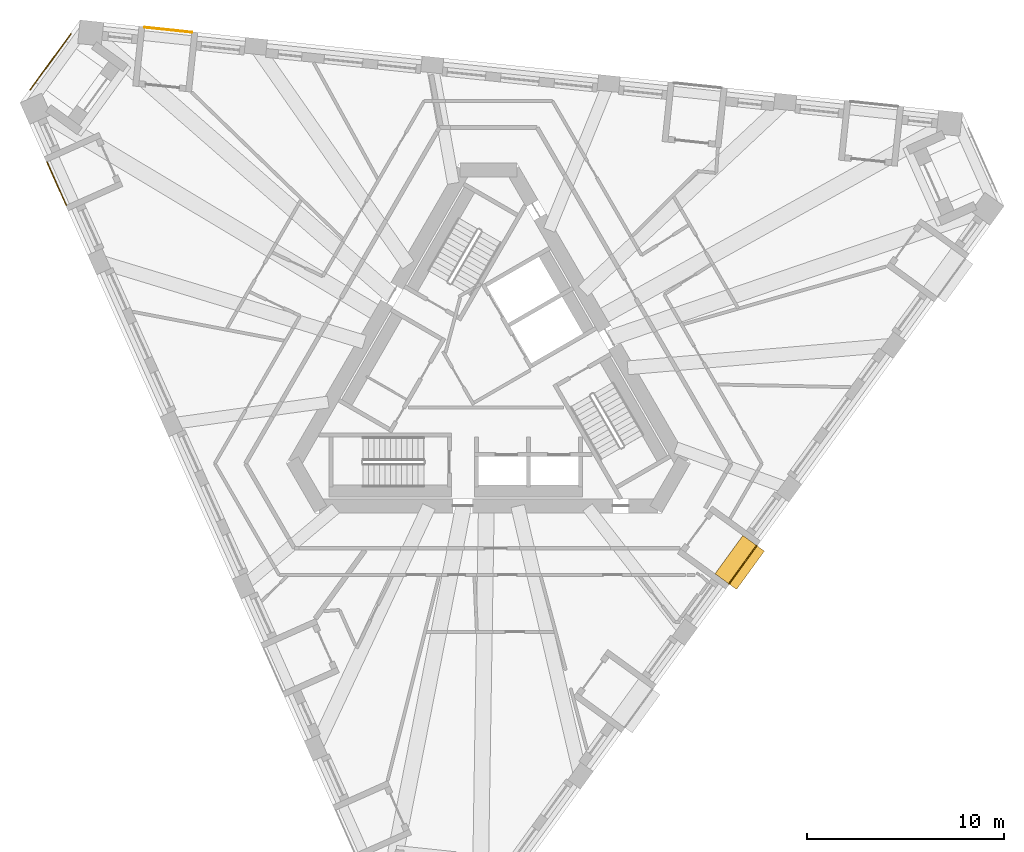
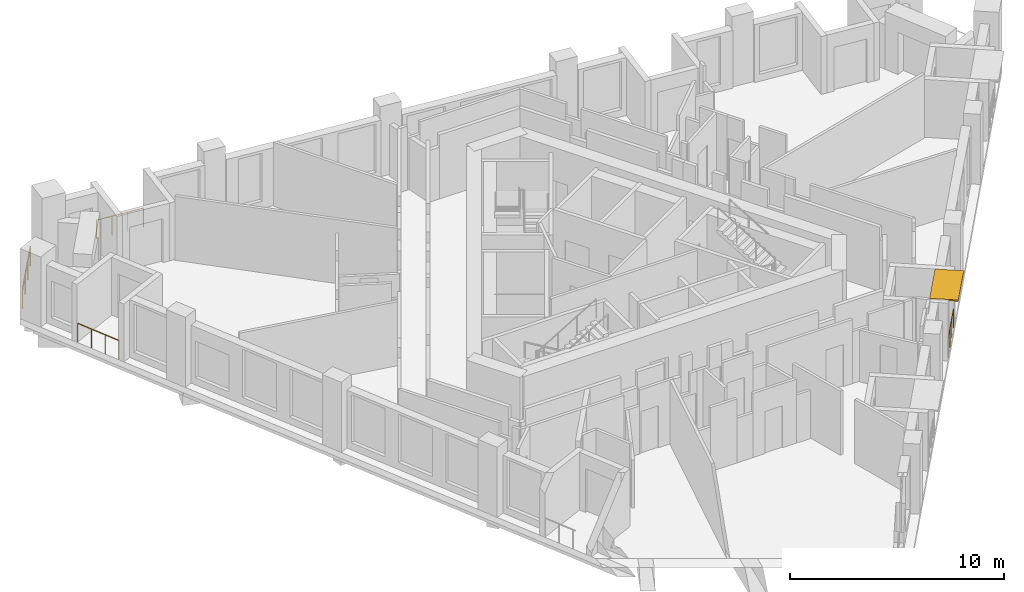
# One storey, part 10 of 11: 4 railings, 1 shading device.
"""IFC4 building model written with IfcOpenShell, lengths in metres."""

from ifc_helpers import new_model, si_unit, direction, frame, origin, origin_2d, place, context, subcontext, project, spatial, rectangle, circle, extrude, material, layer, layer_set, type_object, element, save


model = new_model("IFC4")

# Units and contexts
model_context = context("Model", 3, precision=1e-05, world=origin(), true_north=direction((0.0, 1.0)))
body_context = subcontext(model_context, "Body", "Model", "MODEL_VIEW")
ifc_project = project(units=[si_unit("LENGTHUNIT", "METRE"), si_unit("AREAUNIT", "SQUARE_METRE"), si_unit("VOLUMEUNIT", "CUBIC_METRE"), si_unit("PLANEANGLEUNIT", "RADIAN"), si_unit("MASSUNIT", "GRAM", prefix="KILO")], contexts=[model_context])

# Site, building, storey
site_placement = place(None, origin())
site = spatial("IfcSite", under=ifc_project, at=site_placement, CompositionType="ELEMENT")
building_placement = place(site_placement, origin())
building = spatial("IfcBuilding", under=site, at=building_placement, Name="Tramontana Tower", CompositionType="ELEMENT")
storey_placement = place(building_placement, frame((0.0, 0.0, 257.199951171875)))
storey = spatial("IfcBuildingStorey", under=building, at=storey_placement, Name="L60", CompositionType="ELEMENT", Elevation=257.199951171875)

# Railings
ifc_material_1 = material(Name="Laminated glass balustrade", Category="glass")
railing_type = type_object("IfcRailingType", Name="GD1 Loggia glass balustrade 1100", PredefinedType="BALUSTRADE", material=ifc_material_1)
railing_1_placement = place(storey_placement, frame((-22.404541015625, 11.0576171875, 0.0)))
element("IfcRailing", 1, at=railing_1_placement, inside=storey, type_object=railing_type, Name="Loggia balustrade L60 G6S0.1", PredefinedType="BALUSTRADE", context=body_context, shape_type="SweptSolid", body=[
    extrude(circle(Radius=0.02392578125, at=origin_2d()), frame((0.0, 0.0, 1.076171875), z_axis=(0.406723017018, -0.913551524232, 0.0), x_axis=(0.913551524232, 0.406723017018, 0.0)), (0.0, 0.0, 1.0), 2.40234375),
    extrude(circle(Radius=0.02099609375, at=origin_2d()), origin(), (0.0, 0.0, 1.0), 1.052001953125),
    extrude(circle(Radius=0.02099609375, at=origin_2d()), frame((0.32568359375, -0.7314453125, 0.0)), (0.0, 0.0, 1.0), 1.052001953125),
    extrude(circle(Radius=0.02099609375, at=origin_2d()), frame((0.6513671875, -1.463134765625, 0.0)), (0.0, 0.0, 1.0), 1.052001953125),
    extrude(circle(Radius=0.02099609375, at=origin_2d()), frame((0.97705078125, -2.194580078125, 0.0)), (0.0, 0.0, 1.0), 1.052001953125),
])
railing_2_placement = place(storey_placement, frame((12.214111328125, -10.358642578125, 0.0)))
element("IfcRailing", 2, at=railing_2_placement, inside=storey, type_object=railing_type, Name="Loggia balustrade L60 G6S1.7", PredefinedType="BALUSTRADE", context=body_context, shape_type="SweptSolid", body=[
    extrude(circle(Radius=0.02392578125, at=origin_2d()), frame((0.0, 0.0, 1.076171875), z_axis=(0.58776672416, 0.809030455527, 0.0), x_axis=(-0.809030455527, 0.58776672416, 0.0)), (0.0, 0.0, 1.0), 2.402099609375),
    extrude(circle(Radius=0.02099609375, at=origin_2d()), origin(), (0.0, 0.0, 1.0), 1.052001953125),
    extrude(circle(Radius=0.02099609375, at=origin_2d()), frame((0.470703125, 0.647705078125, 0.0)), (0.0, 0.0, 1.0), 1.052001953125),
    extrude(circle(Radius=0.02099609375, at=origin_2d()), frame((0.941162109375, 1.295654296875, 0.0)), (0.0, 0.0, 1.0), 1.052001953125),
    extrude(circle(Radius=0.02099609375, at=origin_2d()), frame((1.411865234375, 1.943359375, 0.0)), (0.0, 0.0, 1.0), 1.052001953125),
])
railing_3_placement = place(storey_placement, frame((-15.05078125, 17.639892578125, 0.0)))
element("IfcRailing", 3, at=railing_3_placement, inside=storey, type_object=railing_type, Name="Loggia balustrade L60 G6S2.13", PredefinedType="BALUSTRADE", context=body_context, shape_type="SweptSolid", body=[
    extrude(circle(Radius=0.02392578125, at=origin_2d()), frame((0.0, 0.0, 1.076171875), z_axis=(-0.994527704951, 0.104473173992, 0.0), x_axis=(-0.104473173992, -0.994527704951, 0.0)), (0.0, 0.0, 1.0), 2.40234375),
    extrude(circle(Radius=0.02099609375, at=origin_2d()), origin(), (0.0, 0.0, 1.0), 1.052001953125),
    extrude(circle(Radius=0.02099609375, at=origin_2d()), frame((-0.79638671875, 0.083740234375, 0.0)), (0.0, 0.0, 1.0), 1.052001953125),
    extrude(circle(Radius=0.02099609375, at=origin_2d()), frame((-1.5927734375, 0.167236328125, 0.0)), (0.0, 0.0, 1.0), 1.052001953125),
    extrude(circle(Radius=0.02099609375, at=origin_2d()), frame((-2.38916015625, 0.2509765625, 0.0)), (0.0, 0.0, 1.0), 1.052001953125),
])
railing_4_placement = place(storey_placement, frame((-23.25244140625, 14.730712890625, 0.0)))
element("IfcRailing", 4, at=railing_4_placement, inside=storey, type_object=railing_type, Name="Corner loggia balustrade L60 K60", PredefinedType="BALUSTRADE", context=body_context, shape_type="SweptSolid", body=[
    extrude(circle(Radius=0.02392578125, at=origin_2d()), frame((0.0, 0.0, 1.076171875), z_axis=(0.587810807352, 0.808998426921, 0.0), x_axis=(-0.808998426921, 0.587810807352, 0.0)), (0.0, 0.0, 1.0), 3.5),
    extrude(circle(Radius=0.02099609375, at=origin_2d()), origin(), (0.0, 0.0, 1.0), 1.052001953125),
    extrude(circle(Radius=0.02099609375, at=origin_2d()), frame((0.685791015625, 0.94384765625, 0.0)), (0.0, 0.0, 1.0), 1.052001953125),
    extrude(circle(Radius=0.02099609375, at=origin_2d()), frame((1.37158203125, 1.8876953125, 0.0)), (0.0, 0.0, 1.0), 1.052001953125),
    extrude(circle(Radius=0.02099609375, at=origin_2d()), frame((2.057373046875, 2.83154296875, 0.0)), (0.0, 0.0, 1.0), 1.052001953125),
])

# Shading device
ifc_material_2 = material(Name="Precast concrete 60 MPa", Category="concrete")
ifc_layer = layer(ifc_material_2, 0.080078125)
ifc_layer_set = layer_set([ifc_layer], Name="SS3 Stone sunshade blade 80")
shading_device_type = type_object("IfcShadingDeviceType", Name="SS3 Stone sunshade blade 80", PredefinedType="USERDEFINED", material=ifc_layer_set)
shading_device_placement = place(storey_placement, frame((12.76220703125, -9.272216796875, 3.219970703125), z_axis=(0.0, 0.0, 1.0), x_axis=(0.587785252292, 0.809016994375, 0.0)))
element("IfcShadingDevice", 5, at=shading_device_placement, inside=storey, type_object=shading_device_type, Name="Sunshade L60 G6S1.7", ObjectType="SUNSHADE", PredefinedType="USERDEFINED", context=body_context, shape_type="SweptSolid", body=[
    extrude(rectangle(XDim=2.402099609375, YDim=1.35009765625, at=origin_2d()), origin(), (0.0, 0.0, 1.0), 0.080078125),
])

save(model, "model.ifc")
